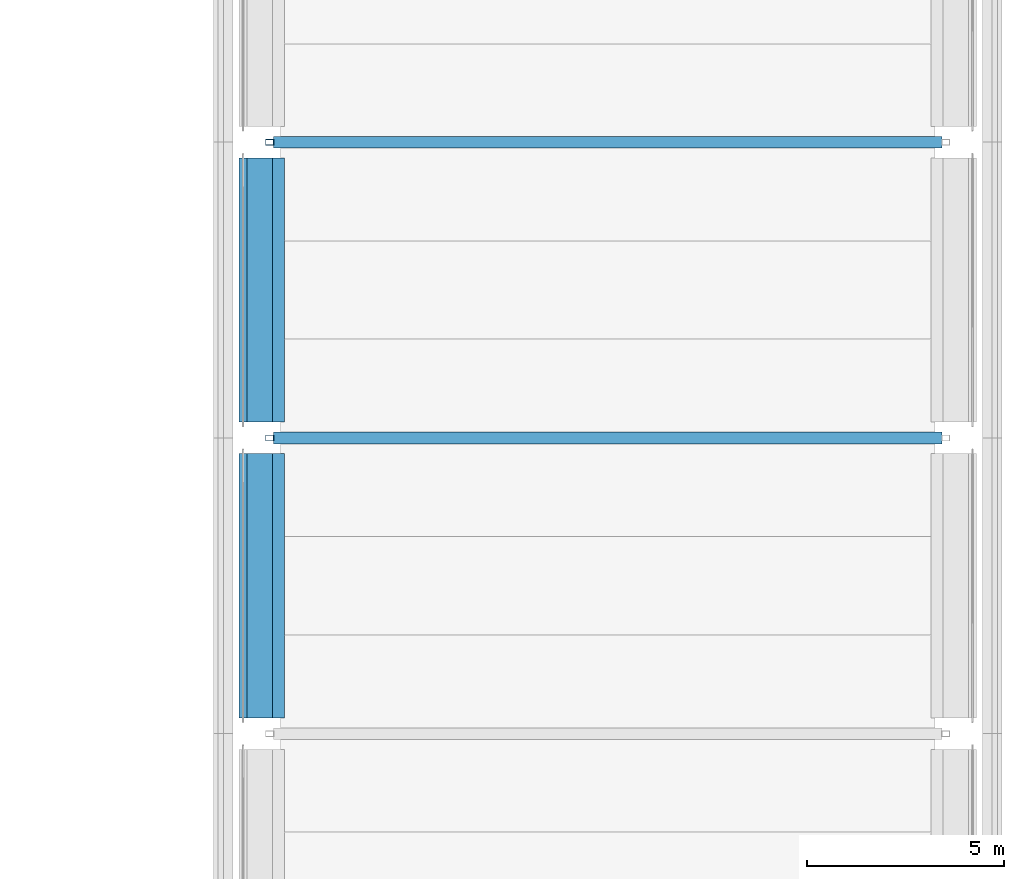
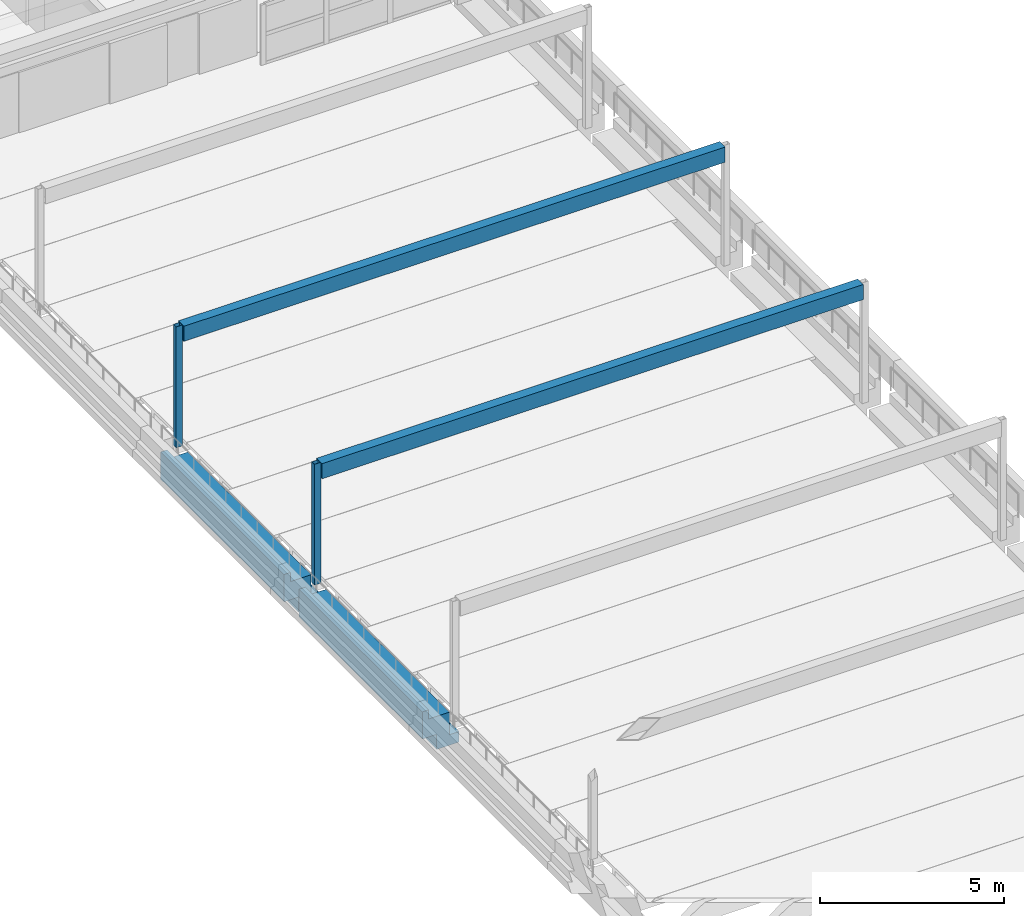
# One storey, part 29 of 62: 4 beams, 2 members.
"""IFC4 building model written with IfcOpenShell, lengths in metres."""

import ifcopenshell
import ifcopenshell.guid

model = None  # the IFC model being written
_history = None  # IfcOwnerHistory: only IFC2X3 demands one
_inside = {}  # id of a spatial element -> (the spatial element, [elements in it])
_under = {}  # id of a project, library or spatial element -> (it, [spatial elements below it])
_declared = {}  # id of a project -> (the project, [libraries it declares])
_typed = {}  # id of a type object -> (the type object, [elements of that type])
_made_of = {}  # id of a material, layer set ... -> (it, [elements and type objects made of it])


def new_model(schema):
    """Start an empty IFC model of exactly this schema.

    Asked for "IFC4X3", IfcOpenShell would pick the latest addendum, in which some entities
    have other attributes; the version numbers below select the first issue.
    IFC2X3 requires an IfcOwnerHistory on every rooted entity: one is made here for all.
    """
    global model, _history
    if schema == "IFC4X3":
        model = ifcopenshell.file(schema_version=(4, 3, 0, 0))
    else:
        model = ifcopenshell.file(schema=schema)
    _inside.clear()
    _under.clear()
    _declared.clear()
    _typed.clear()
    _made_of.clear()
    _history = None
    if model.schema == "IFC2X3":
        org = make("IfcOrganization", Name="unknown")
        user = make(
            "IfcPersonAndOrganization",
            ThePerson=make("IfcPerson", FamilyName="unknown"),
            TheOrganization=org,
        )
        app = make(
            "IfcApplication",
            ApplicationDeveloper=org,
            Version="unknown",
            ApplicationFullName="unknown",
            ApplicationIdentifier="unknown",
        )
        _history = make(
            "IfcOwnerHistory",
            OwningUser=user,
            OwningApplication=app,
            ChangeAction="ADDED",
            CreationDate=0,
        )
    return model


def make(cls, **values):
    """One entity of the class cls with the attributes given. An attribute that is None is left unset."""
    return model.create_entity(
        cls, **{name: value for name, value in values.items() if value is not None}
    )


def rooted(cls, **values):
    """An entity with a GlobalId (a new one), such as an element, a storey or a relation."""
    return make(cls, GlobalId=ifcopenshell.guid.new(), OwnerHistory=_history, **values)


def si_unit(unit_type, name, prefix=None):
    """IfcSIUnit, for example si_unit("LENGTHUNIT", "METRE", prefix="MILLI")."""
    return make("IfcSIUnit", UnitType=unit_type, Prefix=prefix, Name=name)


def assignment(units):
    """IfcUnitAssignment: the units of a project."""
    return None if units is None else make("IfcUnitAssignment", Units=units)


def point(xyz):
    """IfcCartesianPoint."""
    return None if xyz is None else make("IfcCartesianPoint", Coordinates=xyz)


def direction(xyz):
    """IfcDirection."""
    return None if xyz is None else make("IfcDirection", DirectionRatios=xyz)


def frame(location, z_axis=None, x_axis=None):
    """IfcAxis2Placement3D, a coordinate frame: its origin and axes. An axis left out is left unset."""
    return make(
        "IfcAxis2Placement3D",
        Location=point(location),
        Axis=direction(z_axis),
        RefDirection=direction(x_axis),
    )


def frame_2d(location, x_axis=None):
    """IfcAxis2Placement2D, a coordinate frame in the plane: its origin and x axis."""
    return make(
        "IfcAxis2Placement2D", Location=point(location), RefDirection=direction(x_axis)
    )


def origin():
    """The frame at (0, 0, 0) with its axes left unset."""
    return frame((0.0, 0.0, 0.0))


def origin_2d():
    """The frame at (0, 0) in the plane with its x axis left unset."""
    return frame_2d((0.0, 0.0))


def place(relative_to, where):
    """IfcLocalPlacement: puts the frame where relative to a parent placement (None: the world)."""
    return make(
        "IfcLocalPlacement", PlacementRelTo=relative_to, RelativePlacement=where
    )


def context(
    kind, dimensions, precision=None, world=None, true_north=None, identifier=None
):
    """IfcGeometricRepresentationContext, for example the 3D "Model" context."""
    return make(
        "IfcGeometricRepresentationContext",
        ContextIdentifier=identifier,
        ContextType=kind,
        CoordinateSpaceDimension=dimensions,
        Precision=precision,
        WorldCoordinateSystem=world,
        TrueNorth=true_north,
    )


def subcontext(parent, identifier, kind, view, scale=None):
    """IfcGeometricRepresentationSubContext, for example "Body" below "Model"."""
    return make(
        "IfcGeometricRepresentationSubContext",
        ContextIdentifier=identifier,
        ContextType=kind,
        ParentContext=parent,
        TargetScale=scale,
        TargetView=view,
    )


def project(units=None, contexts=None):
    """IfcProject with its units and contexts."""
    return rooted(
        "IfcProject",
        Name="project",
        RepresentationContexts=contexts,
        UnitsInContext=assignment(units),
    )


def spatial(cls, under=None, at=None, **own):
    """A site, building, storey or space (cls), placed at a placement, below another one or the project."""
    s = rooted(cls, ObjectPlacement=at, **own)
    if under is not None:
        _under.setdefault(under.id(), (under, []))[1].append(s)
    return s


def polyline(points):
    """IfcPolyline through the points."""
    return make("IfcPolyline", Points=[point(p) for p in points])


def profile(cls, at=None, kind="AREA", **sizes):
    """A parametric profile (cls). Its sizes go by their IFC names, for example OverallWidth=200.0."""
    return make(cls, ProfileType=kind, Position=at, **sizes)


def hollow_rectangle(**sizes):
    """IfcRectangleHollowProfileDef."""
    return profile("IfcRectangleHollowProfileDef", **sizes)


def outline(outer, holes=None, kind="AREA"):
    """IfcArbitraryClosedProfileDef: a profile drawn as a closed curve; with holes, ...WithVoids."""
    if holes is None:
        return make("IfcArbitraryClosedProfileDef", ProfileType=kind, OuterCurve=outer)
    return make(
        "IfcArbitraryProfileDefWithVoids",
        ProfileType=kind,
        OuterCurve=outer,
        InnerCurves=holes,
    )


def extrude(swept, where, along, depth):
    """IfcExtrudedAreaSolid: the profile swept, set in the frame where, extruded along a direction by depth."""
    return make(
        "IfcExtrudedAreaSolid",
        SweptArea=swept,
        Position=where,
        ExtrudedDirection=direction(along),
        Depth=depth,
    )


def shape(context_of_items, identifier, shape_type, items):
    """IfcShapeRepresentation: the items that make up one representation, for example the "Body"."""
    return make(
        "IfcShapeRepresentation",
        ContextOfItems=context_of_items,
        RepresentationIdentifier=identifier,
        RepresentationType=shape_type,
        Items=items,
    )


def material(Name=None, Category=None):
    """IfcMaterial."""
    return make("IfcMaterial", Name=Name, Category=Category)


def material_profile(
    of_material, cross_section, Name=None, Category=None, Priority=None
):
    """IfcMaterialProfile: a cross section and its material."""
    return make(
        "IfcMaterialProfile",
        Name=Name,
        Material=of_material,
        Profile=cross_section,
        Priority=Priority,
        Category=Category,
    )


def profile_set(profiles, Name=None, composite=None):
    """IfcMaterialProfileSet."""
    return make(
        "IfcMaterialProfileSet",
        Name=Name,
        MaterialProfiles=profiles,
        CompositeProfile=composite,
    )


def made_of(thing, what):
    """Note that an element or type object is made of a material, layer set ...; save() writes the relation."""
    if what is not None:
        _made_of.setdefault(what.id(), (what, []))[1].append(thing)
    return thing


def type_object(cls, material=None, **own):
    """A type object (cls), such as IfcWallType, which elements share."""
    return made_of(rooted(cls, **own), material)


def element(
    cls,
    number,
    at=None,
    inside=None,
    cuts=None,
    type_object=None,
    material=None,
    context=None,
    identifier="Body",
    shape_type=None,
    held_by="IfcProductDefinitionShape",
    body=None,
    shapes=None,
    **own,
):
    """One element of the class cls, such as IfcWall. Its Tag is "e" and its number.

    at: its placement. inside: the storey or other place that contains it. cuts: it is an
    opening in that element (IfcRelVoidsElement). A single representation is given by context,
    identifier, shape_type and body (its items); several are given by shapes. held_by: the class
    of the entity that holds the representations. save() writes the other relations.
    """
    e = rooted(cls, Tag="e%d" % number, ObjectPlacement=at, **own)
    if body is not None:
        shapes = [shape(context, identifier, shape_type, body)]
    if shapes is not None:
        e.Representation = make(held_by, Representations=shapes)
    if inside is not None:
        _inside.setdefault(inside.id(), (inside, []))[1].append(e)
    if cuts is not None:
        rooted(
            "IfcRelVoidsElement", RelatingBuildingElement=cuts, RelatedOpeningElement=e
        )
    if type_object is not None:
        _typed.setdefault(type_object.id(), (type_object, []))[1].append(e)
    return made_of(e, material)


def aggregate(whole, parts):
    """IfcRelAggregates: a whole, such as a stair, and the parts it consists of."""
    return rooted("IfcRelAggregates", RelatingObject=whole, RelatedObjects=parts)


def save(model, path):
    """Write the relations noted so far, then the file.

    IfcRelAggregates (storeys below a building ...), IfcRelContainedInSpatialStructure (elements
    in a storey), IfcRelDefinesByType, IfcRelAssociatesMaterial and IfcRelDeclares: one each for
    every whole, place, type object, material and project.
    """
    for whole, parts in _under.values():
        aggregate(whole, parts)
    for where, things in _inside.values():
        rooted(
            "IfcRelContainedInSpatialStructure",
            RelatedElements=things,
            RelatingStructure=where,
        )
    for kind, things in _typed.values():
        rooted("IfcRelDefinesByType", RelatedObjects=things, RelatingType=kind)
    for what, things in _made_of.values():
        rooted("IfcRelAssociatesMaterial", RelatedObjects=things, RelatingMaterial=what)
    for by, libraries in _declared.values():
        rooted("IfcRelDeclares", RelatingContext=by, RelatedDefinitions=libraries)
    model.write(path)


model = new_model("IFC4")

# Units and contexts
model_context = context("Model", 3, precision=1e-05, world=origin(), true_north=direction((0.0, 1.0)))
body_context = subcontext(model_context, "Body", "Model", "MODEL_VIEW")
ifc_project = project(units=[si_unit("LENGTHUNIT", "METRE"), si_unit("AREAUNIT", "SQUARE_METRE"), si_unit("VOLUMEUNIT", "CUBIC_METRE"), si_unit("PLANEANGLEUNIT", "RADIAN"), si_unit("MASSUNIT", "GRAM", prefix="KILO")], contexts=[model_context])

# Site, building, storey
site_placement = place(None, origin())
site = spatial("IfcSite", under=ifc_project, at=site_placement, CompositionType="ELEMENT")
building_placement = place(site_placement, origin())
building = spatial("IfcBuilding", under=site, at=building_placement, Name="Cour d'Honneur Mobility Palace", CompositionType="ELEMENT")
storey_placement = place(building_placement, frame((0.0, 0.0, 19.300048828125)))
storey = spatial("IfcBuildingStorey", under=building, at=storey_placement, Name="L05", CompositionType="ELEMENT", Elevation=19.300048828125)

# Beams
ifc_material_1 = material(Name="Concrete C45", Category="concrete")
ifc_material_profile_1 = material_profile(ifc_material_1, outline(polyline([(0.199951171875, -1.10009765625), (0.199951171875, -0.60009765625), (0.64990234375, -0.60009765625), (0.64990234375, 0.300048828125), (0.449951171875, 0.300048828125), (0.449951171875, 0.0), (0.199951171875, 0.0), (-0.199951171875, 0.0), (-0.199951171875, -0.75), (-0.5, -0.75), (-0.5, -1.10009765625), (0.199951171875, -1.10009765625)])), Name="Ledger Beam 400x1100 ledge right 350 facade left")
ifc_profile_set_1 = profile_set([ifc_material_profile_1], Name="Concrete C45")
beam_type_1 = type_object("IfcBeamType", Name="Ledger Beam 400x1100 ledge right 350 facade left", PredefinedType="BEAM", material=ifc_profile_set_1)
for number, where, z_axis, x_axis, name in (
    (1, (144.89990234375, 77.800048828125, 0.0), (0.0, 1.0, 0.0), (-1.0, 0.0, 0.0), "Precast beam B4 K-L L05"),
    (2, (144.89990234375, 85.300048828125, 0.0), (0.0, 1.0, 0.0), (-1.0, 0.0, 0.0), "Precast beam B4 L-M L05"),
):
    element("IfcBeam", number, at=place(storey_placement, frame(where, z_axis=z_axis, x_axis=x_axis)), inside=storey, type_object=beam_type_1, Name=name, PredefinedType="BEAM", context=body_context, shape_type="SweptSolid", body=[
        extrude(outline(polyline([(0.199951171875, -1.10009765625), (0.199951171875, -0.60009765625), (0.64990234375, -0.60009765625), (0.64990234375, 0.300048828125), (0.449951171875, 0.300048828125), (0.449951171875, 0.0), (0.199951171875, 0.0), (-0.199951171875, 0.0), (-0.199951171875, -0.75), (-0.5, -0.75), (-0.5, -1.10009765625), (0.199951171875, -1.10009765625)])), origin(), (0.0, 0.0, 1.0), 6.699951171875),
    ])

# Members
ifc_material_2 = material(Name="Steel S355", Category="steel")
ifc_material_profile_2 = material_profile(ifc_material_2, hollow_rectangle(XDim=0.14990234375, YDim=0.199951171875, WallThickness=0.008056640625, at=origin_2d()), Name="RHS 200x150x8")
ifc_profile_set_2 = profile_set([ifc_material_profile_2], Name="Steel S355")
member_type = type_object("IfcMemberType", Name="Terrace post RHS 200x150x8", PredefinedType="POST", material=ifc_profile_set_2)
for number, where, z_axis, x_axis, name in (
    (3, (145.02490234375, 84.89990234375, 0.0), (0.0, 0.0, 1.0), (0.0, 1.0, 0.0), "Terrace post TP-S3W"),
    (4, (145.02490234375, 92.39990234375, 0.0), (0.0, 0.0, 1.0), (0.0, 1.0, 0.0), "Terrace post TP-S4W"),
):
    element("IfcMember", number, at=place(storey_placement, frame(where, z_axis=z_axis, x_axis=x_axis)), inside=storey, type_object=member_type, Name=name, PredefinedType="POST", context=body_context, shape_type="SweptSolid", body=[
        extrude(hollow_rectangle(XDim=0.14990234375, YDim=0.199951171875, WallThickness=0.008056640625, at=origin_2d()), origin(), (0.0, 0.0, 1.0), 4.0),
    ])

# Beams
ifc_material_3 = material(Name="Steel S355", Category="steel")
ifc_material_profile_3 = material_profile(ifc_material_3, hollow_rectangle(XDim=0.300048828125, YDim=0.5, WallThickness=0.01611328125, at=origin_2d()), Name="RHS 500x300x16")
ifc_profile_set_3 = profile_set([ifc_material_profile_3], Name="Steel S355")
beam_type_2 = type_object("IfcBeamType", Name="Terrace tie beam RHS 500x300x16", PredefinedType="BEAM", material=ifc_profile_set_3)
for number, where, z_axis, x_axis, name in (
    (5, (145.125, 84.89990234375, 3.75), (1.0, 0.0, 0.0), (0.0, 1.0, 0.0), "Terrace tie beam TT-S3"),
    (6, (145.125, 92.39990234375, 3.75), (1.0, 0.0, 0.0), (0.0, 1.0, 0.0), "Terrace tie beam TT-S4"),
):
    element("IfcBeam", number, at=place(storey_placement, frame(where, z_axis=z_axis, x_axis=x_axis)), inside=storey, type_object=beam_type_2, Name=name, PredefinedType="BEAM", context=body_context, shape_type="SweptSolid", body=[
        extrude(hollow_rectangle(XDim=0.300048828125, YDim=0.5, WallThickness=0.01611328125, at=origin_2d()), origin(), (0.0, 0.0, 1.0), 16.949951171875),
    ])

save(model, "model.ifc")
